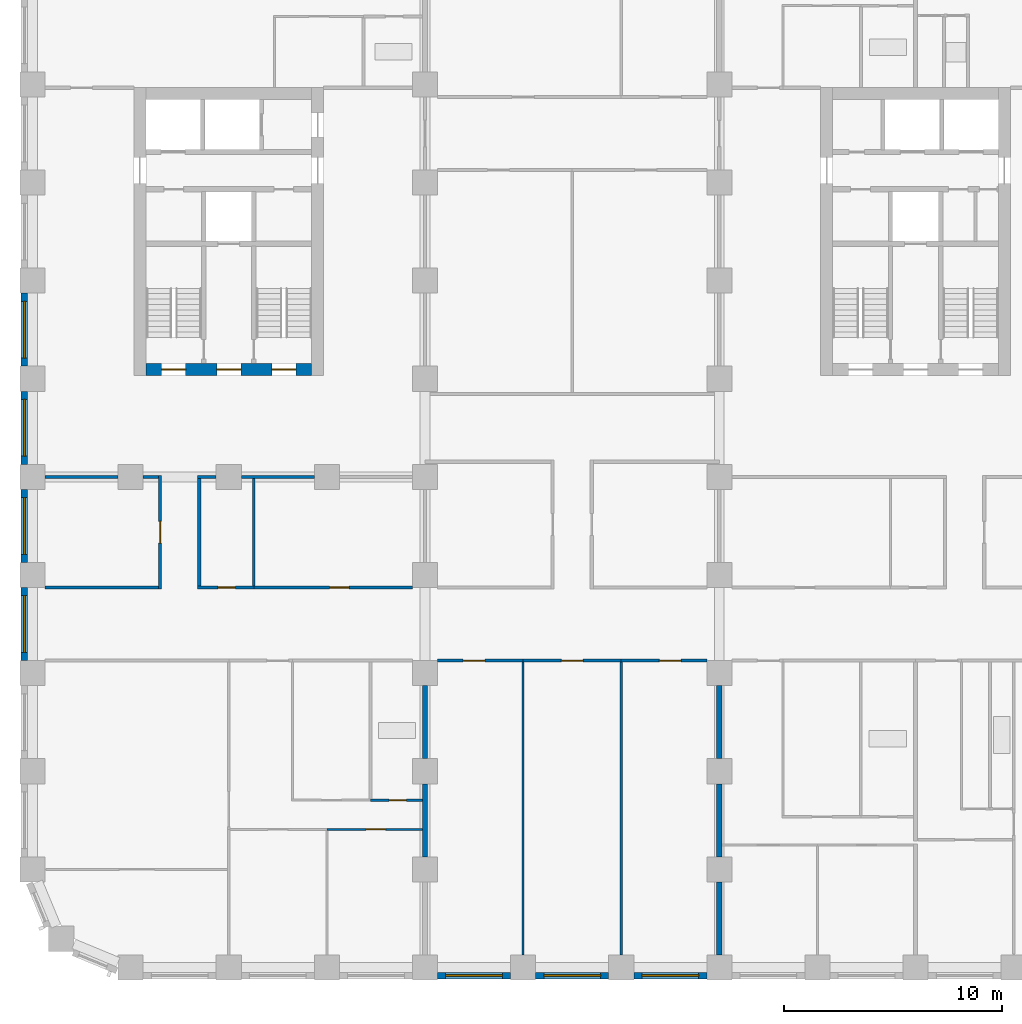
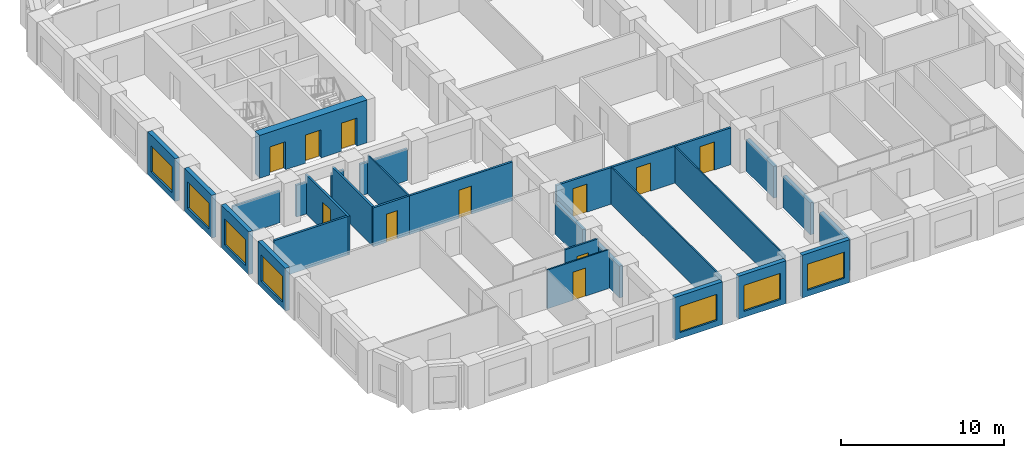
# One storey, part 3 of 12: 30 walls, 11 doors, 7 windows, 18 openings.
"""IFC4 building model written with IfcOpenShell, lengths in metres."""

from ifc_helpers import new_model, si_unit, direction, frame, frame_2d, origin, place, context, subcontext, project, spatial, rectangle, extrude, material, layer, layer_set, type_object, element, fill, save


model = new_model("IFC4")

# Units and contexts
model_context = context("Model", 3, precision=1e-05, world=origin(), true_north=direction((0.0, 1.0)))
body_context = subcontext(model_context, "Body", "Model", "MODEL_VIEW")
ifc_project = project(units=[si_unit("LENGTHUNIT", "METRE"), si_unit("AREAUNIT", "SQUARE_METRE"), si_unit("VOLUMEUNIT", "CUBIC_METRE"), si_unit("PLANEANGLEUNIT", "RADIAN"), si_unit("MASSUNIT", "GRAM", prefix="KILO")], contexts=[model_context])

# Site, building, storey
site_placement = place(None, origin())
site = spatial("IfcSite", under=ifc_project, at=site_placement, CompositionType="ELEMENT")
building_placement = place(site_placement, origin())
building = spatial("IfcBuilding", under=site, at=building_placement, Name="Girih Gate Residences", CompositionType="ELEMENT")
storey_placement = place(building_placement, frame((0.0, 0.0, 118.39990234375)))
storey = spatial("IfcBuildingStorey", under=building, at=storey_placement, Name="L33", CompositionType="ELEMENT", Elevation=118.39990234375)

# Walls
ifc_material_1 = material(Name="Gypsum board on steel studs", Category="steel")
ifc_layer_1 = layer(ifc_material_1, 0.25)
ifc_layer_set_1 = layer_set([ifc_layer_1], Name="Acoustic separating wall 250 mm")
wall_type_1 = type_object("IfcWallType", Name="Acoustic separating wall 250 mm", PredefinedType="PARTITIONING", material=ifc_layer_set_1)
for number, where, z_axis, x_axis, name in (
    (1, (18.0, 9.574951171875, 0.0), (0.0, 0.0, 1.0), (0.0, 1.0, 0.0), "L33 partition"),
    (2, (18.0, 5.074951171875, 0.0), (0.0, 0.0, 1.0), (0.0, 1.0, 0.0), "L33 partition"),
    (3, (31.5, 9.574951171875, 0.0), (0.0, 0.0, 1.0), (0.0, 1.0, 0.0), "L33 partition"),
    (4, (31.5, 0.574951171875, 0.0), (0.0, 0.0, 1.0), (0.0, 1.0, 0.0), "L33 partition"),
    (5, (31.5, 5.074951171875, 0.0), (0.0, 0.0, 1.0), (0.0, 1.0, 0.0), "L33 partition"),
):
    element("IfcWall", number, at=place(storey_placement, frame(where, z_axis=z_axis, x_axis=x_axis)), inside=storey, type_object=wall_type_1, Name=name, PredefinedType="PARTITIONING", context=body_context, shape_type="SweptSolid", body=[
        extrude(rectangle(XDim=3.35009765625, YDim=0.25, at=frame_2d((1.675048828125, 0.0))), origin(), (0.0, 0.0, 1.0), 2.380126953125),
    ])

# Wall, opening, door
ifc_layer_2 = layer(ifc_material_1, 0.14990234375)
ifc_layer_set_2 = layer_set([ifc_layer_2], Name="Compartment wall 150 mm")
wall_type_2 = type_object("IfcWallType", Name="Compartment wall 150 mm", PredefinedType="PARTITIONING", material=ifc_layer_set_2)
wall_1_placement = place(storey_placement, frame((22.5, 14.074951171875, 0.0), z_axis=(0.0, 0.0, 1.0), x_axis=(-1.0, 0.0, 0.0)))
wall_1 = element("IfcWall", 6, at=wall_1_placement, inside=storey, type_object=wall_type_2, Name="L33 partition", PredefinedType="PARTITIONING", context=body_context, shape_type="SweptSolid", body=[
    extrude(rectangle(XDim=3.925048828125, YDim=0.14990234375, at=frame_2d((1.96240234375, 0.0))), origin(), (0.0, 0.0, 1.0), 2.75),
])
opening_1_placement = place(wall_1_placement, frame((1.75, 0.0, 0.0)))
opening_1 = element("IfcOpeningElement", 7, at=opening_1_placement, cuts=wall_1, Name="Opening A33-040", PredefinedType="OPENING", context=body_context, shape_type="SweptSolid", body=[
    extrude(rectangle(XDim=1.0, YDim=2.10009765625, at=frame_2d((0.5, 1.050048828125))), frame((0.0, 0.0849609375, 0.0), z_axis=(0.0, -1.0, 0.0), x_axis=(1.0, 0.0, 0.0)), (0.0, 0.0, 1.0), 0.169921875),
])
ifc_material_2 = material(Name="Timber, fire-rated core", Category="wood")
door_type_1 = type_object("IfcDoorType", Name="Amenity room door 1000x2100 FD30S", OperationType="NOTDEFINED", PredefinedType="DOOR", material=ifc_material_2)
door_1_placement = place(opening_1_placement, origin())
door_1 = element("IfcDoor", 8, at=door_1_placement, inside=storey, type_object=door_type_1, Name="Door A33-040", OperationType="SINGLE_SWING_RIGHT", OverallHeight=2.10009765625, OverallWidth=1.0, PredefinedType="DOOR", context=body_context, shape_type="SweptSolid", body=[
    extrude(rectangle(XDim=1.0, YDim=2.10009765625, at=frame_2d((0.5, 1.050048828125))), frame((0.0, 0.02490234375, 0.0), z_axis=(0.0, -1.0, 0.0), x_axis=(1.0, 0.0, 0.0)), (0.0, 0.0, 1.0), 0.050048828125),
])
fill(opening_1, door_1)

wall_2_placement = place(storey_placement, frame((27.0, 14.074951171875, 0.0), z_axis=(0.0, 0.0, 1.0), x_axis=(-1.0, 0.0, 0.0)))
wall_2 = element("IfcWall", 9, at=wall_2_placement, inside=storey, type_object=wall_type_2, Name="L33 partition", PredefinedType="PARTITIONING", context=body_context, shape_type="SweptSolid", body=[
    extrude(rectangle(XDim=4.5, YDim=0.14990234375, at=frame_2d((2.25, 0.0))), origin(), (0.0, 0.0, 1.0), 2.75),
])
opening_2_placement = place(wall_2_placement, frame((1.75, 0.0, 0.0)))
opening_2 = element("IfcOpeningElement", 10, at=opening_2_placement, cuts=wall_2, Name="Opening A33-041", PredefinedType="OPENING", context=body_context, shape_type="SweptSolid", body=[
    extrude(rectangle(XDim=1.0, YDim=2.10009765625, at=frame_2d((0.5, 1.050048828125))), frame((0.0, 0.0849609375, 0.0), z_axis=(0.0, -1.0, 0.0), x_axis=(1.0, 0.0, 0.0)), (0.0, 0.0, 1.0), 0.169921875),
])
door_2_placement = place(opening_2_placement, origin())
door_2 = element("IfcDoor", 11, at=door_2_placement, inside=storey, type_object=door_type_1, Name="Door A33-041", OperationType="SINGLE_SWING_RIGHT", OverallHeight=2.10009765625, OverallWidth=1.0, PredefinedType="DOOR", context=body_context, shape_type="SweptSolid", body=[
    extrude(rectangle(XDim=1.0, YDim=2.10009765625, at=frame_2d((0.5, 1.050048828125))), frame((0.0, 0.02490234375, 0.0), z_axis=(0.0, -1.0, 0.0), x_axis=(1.0, 0.0, 0.0)), (0.0, 0.0, 1.0), 0.050048828125),
])
fill(opening_2, door_2)

wall_3_placement = place(storey_placement, frame((30.925048828125, 14.074951171875, 0.0), z_axis=(0.0, 0.0, 1.0), x_axis=(-1.0, 0.0, 0.0)))
wall_3 = element("IfcWall", 12, at=wall_3_placement, inside=storey, type_object=wall_type_2, Name="L33 partition", PredefinedType="PARTITIONING", context=body_context, shape_type="SweptSolid", body=[
    extrude(rectangle(XDim=3.925048828125, YDim=0.14990234375, at=frame_2d((1.96240234375, 0.0))), origin(), (0.0, 0.0, 1.0), 2.75),
])
opening_3_placement = place(wall_3_placement, frame((1.175048828125, 0.0, 0.0)))
opening_3 = element("IfcOpeningElement", 13, at=opening_3_placement, cuts=wall_3, Name="Opening A33-042", PredefinedType="OPENING", context=body_context, shape_type="SweptSolid", body=[
    extrude(rectangle(XDim=1.0, YDim=2.10009765625, at=frame_2d((0.5, 1.050048828125))), frame((0.0, 0.0849609375, 0.0), z_axis=(0.0, -1.0, 0.0), x_axis=(1.0, 0.0, 0.0)), (0.0, 0.0, 1.0), 0.169921875),
])
door_3_placement = place(opening_3_placement, origin())
door_3 = element("IfcDoor", 14, at=door_3_placement, inside=storey, type_object=door_type_1, Name="Door A33-042", OperationType="SINGLE_SWING_LEFT", OverallHeight=2.10009765625, OverallWidth=1.0, PredefinedType="DOOR", context=body_context, shape_type="SweptSolid", body=[
    extrude(rectangle(XDim=1.0, YDim=2.10009765625, at=frame_2d((0.5, 1.050048828125))), frame((0.0, 0.02490234375, 0.0), z_axis=(0.0, -1.0, 0.0), x_axis=(1.0, 0.0, 0.0)), (0.0, 0.0, 1.0), 0.050048828125),
])
fill(opening_3, door_3)

wall_4_placement = place(storey_placement, frame((10.14990234375, 17.425048828125, 0.0), z_axis=(0.0, 0.0, 1.0), x_axis=(1.0, 0.0, 0.0)))
wall_4 = element("IfcWall", 15, at=wall_4_placement, inside=storey, type_object=wall_type_2, Name="L33 partition", PredefinedType="PARTITIONING", context=body_context, shape_type="SweptSolid", body=[
    extrude(rectangle(XDim=7.275146484375, YDim=0.14990234375, at=frame_2d((3.6376953125, 0.0))), origin(), (0.0, 0.0, 1.0), 2.900146484375),
])
opening_4_placement = place(wall_4_placement, frame((3.47509765625, 0.0, 0.0)))
opening_4 = element("IfcOpeningElement", 16, at=opening_4_placement, cuts=wall_4, Name="Opening A33-046", PredefinedType="OPENING", context=body_context, shape_type="SweptSolid", body=[
    extrude(rectangle(XDim=0.89990234375, YDim=2.10009765625, at=frame_2d((0.449951171875, 1.050048828125))), frame((0.0, 0.0849609375, 0.0), z_axis=(0.0, -1.0, 0.0), x_axis=(1.0, 0.0, 0.0)), (0.0, 0.0, 1.0), 0.169921875),
])
ifc_material_3 = material(Name="Timber", Category="wood")
door_type_2 = type_object("IfcDoorType", Name="Service room door 900x2100", OperationType="NOTDEFINED", PredefinedType="DOOR", material=ifc_material_3)
door_4_placement = place(opening_4_placement, origin())
door_4 = element("IfcDoor", 17, at=door_4_placement, inside=storey, type_object=door_type_2, Name="Door A33-046", OperationType="SINGLE_SWING_RIGHT", OverallHeight=2.10009765625, OverallWidth=0.89990234375, PredefinedType="DOOR", context=body_context, shape_type="SweptSolid", body=[
    extrude(rectangle(XDim=0.89990234375, YDim=2.10009765625, at=frame_2d((0.449951171875, 1.050048828125))), frame((0.0, 0.02490234375, 0.0), z_axis=(0.0, -1.0, 0.0), x_axis=(1.0, 0.0, 0.0)), (0.0, 0.0, 1.0), 0.050048828125),
])
fill(opening_4, door_4)

wall_5_placement = place(storey_placement, frame((7.574951171875, 17.425048828125, 0.0), z_axis=(0.0, 0.0, 1.0), x_axis=(1.0, 0.0, 0.0)))
wall_5 = element("IfcWall", 18, at=wall_5_placement, inside=storey, type_object=wall_type_2, Name="L33 partition", PredefinedType="PARTITIONING", context=body_context, shape_type="SweptSolid", body=[
    extrude(rectangle(XDim=2.574951171875, YDim=0.14990234375, at=frame_2d((1.28759765625, 0.0))), origin(), (0.0, 0.0, 1.0), 2.900146484375),
])
opening_5_placement = place(wall_5_placement, frame((0.925048828125, 0.0, 0.0)))
opening_5 = element("IfcOpeningElement", 19, at=opening_5_placement, cuts=wall_5, Name="Opening A33-048", PredefinedType="OPENING", context=body_context, shape_type="SweptSolid", body=[
    extrude(rectangle(XDim=0.800048828125, YDim=2.10009765625, at=frame_2d((0.39990234375, 1.050048828125))), frame((0.0, 0.0849609375, 0.0), z_axis=(0.0, -1.0, 0.0), x_axis=(1.0, 0.0, 0.0)), (0.0, 0.0, 1.0), 0.169921875),
])
door_type_3 = type_object("IfcDoorType", Name="Bathroom door 800x2100", OperationType="NOTDEFINED", PredefinedType="DOOR", material=ifc_material_3)
door_5_placement = place(opening_5_placement, origin())
door_5 = element("IfcDoor", 20, at=door_5_placement, inside=storey, type_object=door_type_3, Name="Door A33-048", OperationType="SINGLE_SWING_RIGHT", OverallHeight=2.10009765625, OverallWidth=0.800048828125, PredefinedType="DOOR", context=body_context, shape_type="SweptSolid", body=[
    extrude(rectangle(XDim=0.800048828125, YDim=2.10009765625, at=frame_2d((0.39990234375, 1.050048828125))), frame((0.0, 0.02490234375, 0.0), z_axis=(0.0, -1.0, 0.0), x_axis=(1.0, 0.0, 0.0)), (0.0, 0.0, 1.0), 0.050048828125),
])
fill(opening_5, door_5)

# Walls
wall_6_placement = place(storey_placement, frame((0.574951171875, 17.425048828125, 0.0), z_axis=(0.0, 0.0, 1.0), x_axis=(1.0, 0.0, 0.0)))
element("IfcWall", 21, at=wall_6_placement, inside=storey, type_object=wall_type_2, Name="L33 partition", PredefinedType="PARTITIONING", context=body_context, shape_type="SweptSolid", body=[
    extrude(rectangle(XDim=5.199951171875, YDim=0.14990234375, at=frame_2d((2.60009765625, 0.0))), origin(), (0.0, 0.0, 1.0), 2.900146484375),
])
wall_7_placement = place(storey_placement, frame((9.574951171875, 22.5, 0.0), z_axis=(0.0, 0.0, 1.0), x_axis=(1.0, 0.0, 0.0)))
element("IfcWall", 22, at=wall_7_placement, inside=storey, type_object=wall_type_2, Name="L33 partition", PredefinedType="PARTITIONING", context=body_context, shape_type="SweptSolid", body=[
    extrude(rectangle(XDim=3.35009765625, YDim=0.14990234375, at=frame_2d((1.675048828125, 0.0))), origin(), (0.0, 0.0, 1.0), 2.380126953125),
])
wall_8_placement = place(storey_placement, frame((7.574951171875, 22.5, 0.0), z_axis=(0.0, 0.0, 1.0), x_axis=(1.0, 0.0, 0.0)))
element("IfcWall", 23, at=wall_8_placement, inside=storey, type_object=wall_type_2, Name="L33 partition", PredefinedType="PARTITIONING", context=body_context, shape_type="SweptSolid", body=[
    extrude(rectangle(XDim=0.85009765625, YDim=0.14990234375, at=frame_2d((0.425048828125, 0.0))), origin(), (0.0, 0.0, 1.0), 2.380126953125),
])
wall_9_placement = place(storey_placement, frame((5.074951171875, 22.5, 0.0), z_axis=(0.0, 0.0, 1.0), x_axis=(1.0, 0.0, 0.0)))
element("IfcWall", 24, at=wall_9_placement, inside=storey, type_object=wall_type_2, Name="L33 partition", PredefinedType="PARTITIONING", context=body_context, shape_type="SweptSolid", body=[
    extrude(rectangle(XDim=0.699951171875, YDim=0.14990234375, at=frame_2d((0.35009765625, 0.0))), origin(), (0.0, 0.0, 1.0), 2.380126953125),
])
wall_10_placement = place(storey_placement, frame((0.574951171875, 22.5, 0.0), z_axis=(0.0, 0.0, 1.0), x_axis=(1.0, 0.0, 0.0)))
element("IfcWall", 25, at=wall_10_placement, inside=storey, type_object=wall_type_2, Name="L33 partition", PredefinedType="PARTITIONING", context=body_context, shape_type="SweptSolid", body=[
    extrude(rectangle(XDim=3.35009765625, YDim=0.14990234375, at=frame_2d((1.675048828125, 0.0))), origin(), (0.0, 0.0, 1.0), 2.380126953125),
])
wall_11_placement = place(storey_placement, frame((7.64990234375, 17.5, 0.0), z_axis=(0.0, 0.0, 1.0), x_axis=(0.0, 1.0, 0.0)))
element("IfcWall", 26, at=wall_11_placement, inside=storey, type_object=wall_type_2, Name="L33 partition", PredefinedType="PARTITIONING", context=body_context, shape_type="SweptSolid", body=[
    extrude(rectangle(XDim=4.925048828125, YDim=0.14990234375, at=frame_2d((2.46240234375, 0.0))), origin(), (0.0, 0.0, 1.0), 2.900146484375),
])

# Wall, opening, door
wall_12_placement = place(storey_placement, frame((5.85009765625, 17.35009765625, 0.0), z_axis=(0.0, 0.0, 1.0), x_axis=(0.0, 1.0, 0.0)))
wall_12 = element("IfcWall", 27, at=wall_12_placement, inside=storey, type_object=wall_type_2, Name="L33 partition", PredefinedType="PARTITIONING", context=body_context, shape_type="SweptSolid", body=[
    extrude(rectangle(XDim=5.224853515625, YDim=0.14990234375, at=frame_2d((2.6123046875, 0.0))), origin(), (0.0, 0.0, 1.0), 2.900146484375),
])
opening_6_placement = place(wall_12_placement, frame((2.112548828125, 0.0, 0.0)))
opening_6 = element("IfcOpeningElement", 28, at=opening_6_placement, cuts=wall_12, Name="Opening A33-050", PredefinedType="OPENING", context=body_context, shape_type="SweptSolid", body=[
    extrude(rectangle(XDim=1.0, YDim=2.10009765625, at=frame_2d((0.5, 1.050048828125))), frame((0.0, 0.0849609375, 0.0), z_axis=(0.0, -1.0, 0.0), x_axis=(1.0, 0.0, 0.0)), (0.0, 0.0, 1.0), 0.169921875),
])
door_6_placement = place(opening_6_placement, origin())
door_6 = element("IfcDoor", 29, at=door_6_placement, inside=storey, type_object=door_type_1, Name="Door A33-050", OperationType="SINGLE_SWING_LEFT", OverallHeight=2.10009765625, OverallWidth=1.0, PredefinedType="DOOR", context=body_context, shape_type="SweptSolid", body=[
    extrude(rectangle(XDim=1.0, YDim=2.10009765625, at=frame_2d((0.5, 1.050048828125))), frame((0.0, 0.02490234375, 0.0), z_axis=(0.0, -1.0, 0.0), x_axis=(1.0, 0.0, 0.0)), (0.0, 0.0, 1.0), 0.050048828125),
])
fill(opening_6, door_6)

# Wall, openings, doors
ifc_material_4 = material(Name="Concrete C60/75", Category="concrete")
ifc_layer_3 = layer(ifc_material_4, 0.550048828125)
ifc_layer_set_3 = layer_set([ifc_layer_3], Name="Core wall RC 550 Concrete C60/75")
wall_type_3 = type_object("IfcWallType", Name="Core wall RC 550 Concrete C60/75", PredefinedType="SOLIDWALL", material=ifc_layer_set_3)
wall_13_placement = place(storey_placement, frame((5.199951171875, 27.425048828125, 0.0), z_axis=(0.0, 0.0, 1.0), x_axis=(1.0, 0.0, 0.0)))
wall_13 = element("IfcWall", 30, at=wall_13_placement, inside=storey, type_object=wall_type_3, Name="Core wall W-S L33", PredefinedType="SOLIDWALL", context=body_context, shape_type="SweptSolid", body=[
    extrude(rectangle(XDim=7.60009765625, YDim=0.550048828125, at=frame_2d((3.800048828125, 0.0))), origin(), (0.0, 0.0, 1.0), 3.2001953125),
])
opening_7_placement = place(wall_13_placement, frame((0.72509765625, 0.0, 0.0)))
opening_7 = element("IfcOpeningElement", 31, at=opening_7_placement, cuts=wall_13, Name="Opening D-L33-W-008", PredefinedType="OPENING", context=body_context, shape_type="SweptSolid", body=[
    extrude(rectangle(XDim=1.10009765625, YDim=2.10009765625, at=frame_2d((0.550048828125, 1.050048828125))), frame((0.0, 0.284912109375, 0.0), z_axis=(0.0, -1.0, 0.0), x_axis=(1.0, 0.0, 0.0)), (0.0, 0.0, 1.0), 0.570068359375),
])
opening_8_placement = place(wall_13_placement, frame((3.25, 0.0, 0.0)))
opening_8 = element("IfcOpeningElement", 32, at=opening_8_placement, cuts=wall_13, Name="Opening D-L33-W-009", PredefinedType="OPENING", context=body_context, shape_type="SweptSolid", body=[
    extrude(rectangle(XDim=1.10009765625, YDim=2.10009765625, at=frame_2d((0.550048828125, 1.050048828125))), frame((0.0, 0.284912109375, 0.0), z_axis=(0.0, -1.0, 0.0), x_axis=(1.0, 0.0, 0.0)), (0.0, 0.0, 1.0), 0.570068359375),
])
opening_9_placement = place(wall_13_placement, frame((5.77490234375, 0.0, 0.0)))
opening_9 = element("IfcOpeningElement", 33, at=opening_9_placement, cuts=wall_13, Name="Opening D-L33-W-010", PredefinedType="OPENING", context=body_context, shape_type="SweptSolid", body=[
    extrude(rectangle(XDim=1.10009765625, YDim=2.10009765625, at=frame_2d((0.550048828125, 1.050048828125))), frame((0.0, 0.284912109375, 0.0), z_axis=(0.0, -1.0, 0.0), x_axis=(1.0, 0.0, 0.0)), (0.0, 0.0, 1.0), 0.570068359375),
])
ifc_material_5 = material(Name="Painted steel, fire-resisting", Category="steel")
door_type_4 = type_object("IfcDoorType", Name="Fire door 1100x2100", OperationType="SINGLE_SWING_LEFT", PredefinedType="DOOR", material=ifc_material_5)
door_7_placement = place(opening_7_placement, origin())
door_7 = element("IfcDoor", 34, at=door_7_placement, inside=storey, type_object=door_type_4, Name="L33 W core door sta-out", OperationType="SINGLE_SWING_LEFT", OverallHeight=2.10009765625, OverallWidth=1.10009765625, PredefinedType="DOOR", context=body_context, shape_type="SweptSolid", body=[
    extrude(rectangle(XDim=1.10009765625, YDim=2.10009765625, at=frame_2d((0.550048828125, 1.050048828125))), frame((0.0, 0.02490234375, 0.0), z_axis=(0.0, -1.0, 0.0), x_axis=(1.0, 0.0, 0.0)), (0.0, 0.0, 1.0), 0.050048828125),
])
fill(opening_7, door_7)
door_8_placement = place(opening_8_placement, origin())
door_8 = element("IfcDoor", 35, at=door_8_placement, inside=storey, type_object=door_type_4, Name="L33 W core door ffl-out", OperationType="SINGLE_SWING_LEFT", OverallHeight=2.10009765625, OverallWidth=1.10009765625, PredefinedType="DOOR", context=body_context, shape_type="SweptSolid", body=[
    extrude(rectangle(XDim=1.10009765625, YDim=2.10009765625, at=frame_2d((0.550048828125, 1.050048828125))), frame((0.0, 0.02490234375, 0.0), z_axis=(0.0, -1.0, 0.0), x_axis=(1.0, 0.0, 0.0)), (0.0, 0.0, 1.0), 0.050048828125),
])
fill(opening_8, door_8)
door_9_placement = place(opening_9_placement, origin())
door_9 = element("IfcDoor", 36, at=door_9_placement, inside=storey, type_object=door_type_4, Name="L33 W core door stb-out", OperationType="SINGLE_SWING_LEFT", OverallHeight=2.10009765625, OverallWidth=1.10009765625, PredefinedType="DOOR", context=body_context, shape_type="SweptSolid", body=[
    extrude(rectangle(XDim=1.10009765625, YDim=2.10009765625, at=frame_2d((0.550048828125, 1.050048828125))), frame((0.0, 0.02490234375, 0.0), z_axis=(0.0, -1.0, 0.0), x_axis=(1.0, 0.0, 0.0)), (0.0, 0.0, 1.0), 0.050048828125),
])
fill(opening_9, door_9)

# Wall, opening, door
ifc_layer_4 = layer(ifc_material_1, 0.10009765625)
ifc_layer_set_4 = layer_set([ifc_layer_4], Name="Partition 100 mm")
wall_type_4 = type_object("IfcWallType", Name="Partition 100 mm", PredefinedType="PARTITIONING", material=ifc_layer_set_4)
wall_14_placement = place(storey_placement, frame((17.875, 6.3349609375, 0.0), z_axis=(0.0, 0.0, 1.0), x_axis=(-1.0, 0.0, 0.0)))
wall_14 = element("IfcWall", 37, at=wall_14_placement, inside=storey, type_object=wall_type_4, Name="L33 partition", PredefinedType="PARTITIONING", context=body_context, shape_type="SweptSolid", body=[
    extrude(rectangle(XDim=4.375, YDim=0.10009765625, at=frame_2d((2.1875, 0.0))), origin(), (0.0, 0.0, 1.0), 2.900146484375),
])
opening_10_placement = place(wall_14_placement, frame((1.675048828125, 0.0, 0.0)))
opening_10 = element("IfcOpeningElement", 38, at=opening_10_placement, cuts=wall_14, Name="Opening A33-003", PredefinedType="OPENING", context=body_context, shape_type="SweptSolid", body=[
    extrude(rectangle(XDim=0.89990234375, YDim=2.10009765625, at=frame_2d((0.449951171875, 1.050048828125))), frame((0.0, 0.06005859375, 0.0), z_axis=(0.0, -1.0, 0.0), x_axis=(1.0, 0.0, 0.0)), (0.0, 0.0, 1.0), 0.1201171875),
])
door_type_5 = type_object("IfcDoorType", Name="Bedroom door 900x2100", OperationType="NOTDEFINED", PredefinedType="DOOR", material=ifc_material_3)
door_10_placement = place(opening_10_placement, origin())
door_10 = element("IfcDoor", 39, at=door_10_placement, inside=storey, type_object=door_type_5, Name="Door A33-003", OperationType="SINGLE_SWING_LEFT", OverallHeight=2.10009765625, OverallWidth=0.89990234375, PredefinedType="DOOR", context=body_context, shape_type="SweptSolid", body=[
    extrude(rectangle(XDim=0.89990234375, YDim=2.10009765625, at=frame_2d((0.449951171875, 1.050048828125))), frame((0.0, 0.02490234375, 0.0), z_axis=(0.0, -1.0, 0.0), x_axis=(1.0, 0.0, 0.0)), (0.0, 0.0, 1.0), 0.050048828125),
])
fill(opening_10, door_10)

# Walls
for number, where, z_axis, x_axis, name in (
    (40, (22.5, 0.574951171875, 0.0), (0.0, 0.0, 1.0), (0.0, 1.0, 0.0), "L33 partition"),
    (41, (27.0, 0.574951171875, 0.0), (0.0, 0.0, 1.0), (0.0, 1.0, 0.0), "L33 partition"),
):
    element("IfcWall", number, at=place(storey_placement, frame(where, z_axis=z_axis, x_axis=x_axis)), inside=storey, type_object=wall_type_4, Name=name, PredefinedType="PARTITIONING", context=body_context, shape_type="SweptSolid", body=[
        extrude(rectangle(XDim=13.425048828125, YDim=0.10009765625, at=frame_2d((6.71240234375, 0.0))), origin(), (0.0, 0.0, 1.0), 2.75),
    ])
wall_15_placement = place(storey_placement, frame((10.14990234375, 17.5, 0.0), z_axis=(0.0, 0.0, 1.0), x_axis=(0.0, 1.0, 0.0)))
element("IfcWall", 42, at=wall_15_placement, inside=storey, type_object=wall_type_4, Name="L33 partition", PredefinedType="PARTITIONING", context=body_context, shape_type="SweptSolid", body=[
    extrude(rectangle(XDim=4.925048828125, YDim=0.10009765625, at=frame_2d((2.46240234375, 0.0))), origin(), (0.0, 0.0, 1.0), 2.900146484375),
])

# Wall, opening, window
ifc_material_6 = material(Name="Precast concrete C50/60", Category="concrete")
ifc_layer_5 = layer(ifc_material_6, 0.080078125, Name="Outer leaf")
ifc_material_7 = material(Name="Rigid PIR insulation")
ifc_layer_6 = layer(ifc_material_7, 0.14990234375, Name="Insulation")
ifc_material_8 = material(Name="Precast concrete C40/50", Category="concrete")
ifc_layer_7 = layer(ifc_material_8, 0.070068359375, Name="Inner leaf")
ifc_layer_set_5 = layer_set([ifc_layer_5, ifc_layer_6, ifc_layer_7], Name="Precast concrete C50/60 external wall 300")
wall_type_5 = type_object("IfcWallType", Name="Precast concrete C50/60 external wall 300", PredefinedType="SOLIDWALL", material=ifc_layer_set_5)
wall_16_placement = place(storey_placement, frame((21.925048828125, -0.375, 0.0), z_axis=(0.0, 0.0, 1.0), x_axis=(-1.0, 0.0, 0.0)))
wall_16 = element("IfcWall", 43, at=wall_16_placement, inside=storey, type_object=wall_type_5, Name="External wall S0045_0000.3", PredefinedType="SOLIDWALL", context=body_context, shape_type="SweptSolid", body=[
    extrude(rectangle(XDim=3.35009765625, YDim=0.300048828125, at=frame_2d((1.675048828125, 0.0))), origin(), (0.0, 0.0, 1.0), 3.2001953125),
])
opening_11_placement = place(wall_16_placement, frame((0.375, 0.0, 0.449951171875)))
opening_11 = element("IfcOpeningElement", 44, at=opening_11_placement, cuts=wall_16, Name="Opening W-1A", PredefinedType="OPENING", context=body_context, shape_type="SweptSolid", body=[
    extrude(rectangle(XDim=2.60009765625, YDim=1.949951171875, at=frame_2d((1.300048828125, 0.97509765625))), frame((0.0, 0.159912109375, 0.0), z_axis=(0.0, -1.0, 0.0), x_axis=(1.0, 0.0, 0.0)), (0.0, 0.0, 1.0), 0.320068359375),
])
ifc_material_9 = material(Name="Double glazing in aluminium frame", Category="aluminium")
window_type = type_object("IfcWindowType", Name="Window W-1A 2600x1950", PartitioningType="SINGLE_PANEL", PredefinedType="WINDOW", material=ifc_material_9)
window_1_placement = place(opening_11_placement, origin())
window_1 = element("IfcWindow", 45, at=window_1_placement, inside=storey, type_object=window_type, Name="Window W-1A S0045_0000.3", OverallHeight=1.949951171875, OverallWidth=2.60009765625, PartitioningType="SINGLE_PANEL", PredefinedType="WINDOW", context=body_context, shape_type="SweptSolid", body=[
    extrude(rectangle(XDim=2.60009765625, YDim=1.949951171875, at=frame_2d((1.300048828125, 0.97509765625))), frame((0.0, 0.030029296875, 0.0), z_axis=(0.0, -1.0, 0.0), x_axis=(1.0, 0.0, 0.0)), (0.0, 0.0, 1.0), 0.06005859375),
])
fill(opening_11, window_1)

wall_17_placement = place(storey_placement, frame((26.425048828125, -0.375, 0.0), z_axis=(0.0, 0.0, 1.0), x_axis=(-1.0, 0.0, 0.0)))
wall_17 = element("IfcWall", 46, at=wall_17_placement, inside=storey, type_object=wall_type_5, Name="External wall S0045_0000.4", PredefinedType="SOLIDWALL", context=body_context, shape_type="SweptSolid", body=[
    extrude(rectangle(XDim=3.35009765625, YDim=0.300048828125, at=frame_2d((1.675048828125, 0.0))), origin(), (0.0, 0.0, 1.0), 3.2001953125),
])
opening_12_placement = place(wall_17_placement, frame((0.375, 0.0, 0.449951171875)))
opening_12 = element("IfcOpeningElement", 47, at=opening_12_placement, cuts=wall_17, Name="Opening W-1A", PredefinedType="OPENING", context=body_context, shape_type="SweptSolid", body=[
    extrude(rectangle(XDim=2.60009765625, YDim=1.949951171875, at=frame_2d((1.300048828125, 0.97509765625))), frame((0.0, 0.159912109375, 0.0), z_axis=(0.0, -1.0, 0.0), x_axis=(1.0, 0.0, 0.0)), (0.0, 0.0, 1.0), 0.320068359375),
])
window_2_placement = place(opening_12_placement, origin())
window_2 = element("IfcWindow", 48, at=window_2_placement, inside=storey, type_object=window_type, Name="Window W-1A S0045_0000.4", OverallHeight=1.949951171875, OverallWidth=2.60009765625, PartitioningType="SINGLE_PANEL", PredefinedType="WINDOW", context=body_context, shape_type="SweptSolid", body=[
    extrude(rectangle(XDim=2.60009765625, YDim=1.949951171875, at=frame_2d((1.300048828125, 0.97509765625))), frame((0.0, 0.030029296875, 0.0), z_axis=(0.0, -1.0, 0.0), x_axis=(1.0, 0.0, 0.0)), (0.0, 0.0, 1.0), 0.06005859375),
])
fill(opening_12, window_2)

wall_18_placement = place(storey_placement, frame((30.925048828125, -0.375, 0.0), z_axis=(0.0, 0.0, 1.0), x_axis=(-1.0, 0.0, 0.0)))
wall_18 = element("IfcWall", 49, at=wall_18_placement, inside=storey, type_object=wall_type_5, Name="External wall S0045_0000.5", PredefinedType="SOLIDWALL", context=body_context, shape_type="SweptSolid", body=[
    extrude(rectangle(XDim=3.35009765625, YDim=0.300048828125, at=frame_2d((1.675048828125, 0.0))), origin(), (0.0, 0.0, 1.0), 3.2001953125),
])
opening_13_placement = place(wall_18_placement, frame((0.375, 0.0, 0.449951171875)))
opening_13 = element("IfcOpeningElement", 50, at=opening_13_placement, cuts=wall_18, Name="Opening W-1A", PredefinedType="OPENING", context=body_context, shape_type="SweptSolid", body=[
    extrude(rectangle(XDim=2.60009765625, YDim=1.949951171875, at=frame_2d((1.300048828125, 0.97509765625))), frame((0.0, 0.159912109375, 0.0), z_axis=(0.0, -1.0, 0.0), x_axis=(1.0, 0.0, 0.0)), (0.0, 0.0, 1.0), 0.320068359375),
])
window_3_placement = place(opening_13_placement, origin())
window_3 = element("IfcWindow", 51, at=window_3_placement, inside=storey, type_object=window_type, Name="Window W-1A S0045_0000.5", OverallHeight=1.949951171875, OverallWidth=2.60009765625, PartitioningType="SINGLE_PANEL", PredefinedType="WINDOW", context=body_context, shape_type="SweptSolid", body=[
    extrude(rectangle(XDim=2.60009765625, YDim=1.949951171875, at=frame_2d((1.300048828125, 0.97509765625))), frame((0.0, 0.030029296875, 0.0), z_axis=(0.0, -1.0, 0.0), x_axis=(1.0, 0.0, 0.0)), (0.0, 0.0, 1.0), 0.06005859375),
])
fill(opening_13, window_3)

wall_19_placement = place(storey_placement, frame((-0.375, 27.574951171875, 0.0), z_axis=(0.0, 0.0, 1.0), x_axis=(0.0, 1.0, 0.0)))
wall_19 = element("IfcWall", 52, at=wall_19_placement, inside=storey, type_object=wall_type_5, Name="External wall W0000_0450.3", PredefinedType="SOLIDWALL", context=body_context, shape_type="SweptSolid", body=[
    extrude(rectangle(XDim=3.35009765625, YDim=0.300048828125, at=frame_2d((1.675048828125, 0.0))), origin(), (0.0, 0.0, 1.0), 3.2001953125),
])
opening_14_placement = place(wall_19_placement, frame((0.375, 0.0, 0.449951171875)))
opening_14 = element("IfcOpeningElement", 53, at=opening_14_placement, cuts=wall_19, Name="Opening W-1A", PredefinedType="OPENING", context=body_context, shape_type="SweptSolid", body=[
    extrude(rectangle(XDim=2.60009765625, YDim=1.949951171875, at=frame_2d((1.300048828125, 0.97509765625))), frame((0.0, 0.159912109375, 0.0), z_axis=(0.0, -1.0, 0.0), x_axis=(1.0, 0.0, 0.0)), (0.0, 0.0, 1.0), 0.320068359375),
])
window_4_placement = place(opening_14_placement, origin())
window_4 = element("IfcWindow", 54, at=window_4_placement, inside=storey, type_object=window_type, Name="Window W-1A W0000_0450.3", OverallHeight=1.949951171875, OverallWidth=2.60009765625, PartitioningType="SINGLE_PANEL", PredefinedType="WINDOW", context=body_context, shape_type="SweptSolid", body=[
    extrude(rectangle(XDim=2.60009765625, YDim=1.949951171875, at=frame_2d((1.300048828125, 0.97509765625))), frame((0.0, 0.030029296875, 0.0), z_axis=(0.0, -1.0, 0.0), x_axis=(1.0, 0.0, 0.0)), (0.0, 0.0, 1.0), 0.06005859375),
])
fill(opening_14, window_4)

wall_20_placement = place(storey_placement, frame((-0.375, 23.074951171875, 0.0), z_axis=(0.0, 0.0, 1.0), x_axis=(0.0, 1.0, 0.0)))
wall_20 = element("IfcWall", 55, at=wall_20_placement, inside=storey, type_object=wall_type_5, Name="External wall W0000_0450.4", PredefinedType="SOLIDWALL", context=body_context, shape_type="SweptSolid", body=[
    extrude(rectangle(XDim=3.35009765625, YDim=0.300048828125, at=frame_2d((1.675048828125, 0.0))), origin(), (0.0, 0.0, 1.0), 3.2001953125),
])
opening_15_placement = place(wall_20_placement, frame((0.375, 0.0, 0.449951171875)))
opening_15 = element("IfcOpeningElement", 56, at=opening_15_placement, cuts=wall_20, Name="Opening W-1A", PredefinedType="OPENING", context=body_context, shape_type="SweptSolid", body=[
    extrude(rectangle(XDim=2.60009765625, YDim=1.949951171875, at=frame_2d((1.300048828125, 0.97509765625))), frame((0.0, 0.159912109375, 0.0), z_axis=(0.0, -1.0, 0.0), x_axis=(1.0, 0.0, 0.0)), (0.0, 0.0, 1.0), 0.320068359375),
])
window_5_placement = place(opening_15_placement, origin())
window_5 = element("IfcWindow", 57, at=window_5_placement, inside=storey, type_object=window_type, Name="Window W-1A W0000_0450.4", OverallHeight=1.949951171875, OverallWidth=2.60009765625, PartitioningType="SINGLE_PANEL", PredefinedType="WINDOW", context=body_context, shape_type="SweptSolid", body=[
    extrude(rectangle(XDim=2.60009765625, YDim=1.949951171875, at=frame_2d((1.300048828125, 0.97509765625))), frame((0.0, 0.030029296875, 0.0), z_axis=(0.0, -1.0, 0.0), x_axis=(1.0, 0.0, 0.0)), (0.0, 0.0, 1.0), 0.06005859375),
])
fill(opening_15, window_5)

wall_21_placement = place(storey_placement, frame((-0.375, 18.574951171875, 0.0), z_axis=(0.0, 0.0, 1.0), x_axis=(0.0, 1.0, 0.0)))
wall_21 = element("IfcWall", 58, at=wall_21_placement, inside=storey, type_object=wall_type_5, Name="External wall W0000_0450.5", PredefinedType="SOLIDWALL", context=body_context, shape_type="SweptSolid", body=[
    extrude(rectangle(XDim=3.35009765625, YDim=0.300048828125, at=frame_2d((1.675048828125, 0.0))), origin(), (0.0, 0.0, 1.0), 3.2001953125),
])
opening_16_placement = place(wall_21_placement, frame((0.375, 0.0, 0.449951171875)))
opening_16 = element("IfcOpeningElement", 59, at=opening_16_placement, cuts=wall_21, Name="Opening W-1A", PredefinedType="OPENING", context=body_context, shape_type="SweptSolid", body=[
    extrude(rectangle(XDim=2.60009765625, YDim=1.949951171875, at=frame_2d((1.300048828125, 0.97509765625))), frame((0.0, 0.159912109375, 0.0), z_axis=(0.0, -1.0, 0.0), x_axis=(1.0, 0.0, 0.0)), (0.0, 0.0, 1.0), 0.320068359375),
])
window_6_placement = place(opening_16_placement, origin())
window_6 = element("IfcWindow", 60, at=window_6_placement, inside=storey, type_object=window_type, Name="Window W-1A W0000_0450.5", OverallHeight=1.949951171875, OverallWidth=2.60009765625, PartitioningType="SINGLE_PANEL", PredefinedType="WINDOW", context=body_context, shape_type="SweptSolid", body=[
    extrude(rectangle(XDim=2.60009765625, YDim=1.949951171875, at=frame_2d((1.300048828125, 0.97509765625))), frame((0.0, 0.030029296875, 0.0), z_axis=(0.0, -1.0, 0.0), x_axis=(1.0, 0.0, 0.0)), (0.0, 0.0, 1.0), 0.06005859375),
])
fill(opening_16, window_6)

wall_22_placement = place(storey_placement, frame((-0.375, 14.074951171875, 0.0), z_axis=(0.0, 0.0, 1.0), x_axis=(0.0, 1.0, 0.0)))
wall_22 = element("IfcWall", 61, at=wall_22_placement, inside=storey, type_object=wall_type_5, Name="External wall W0000_0450.6", PredefinedType="SOLIDWALL", context=body_context, shape_type="SweptSolid", body=[
    extrude(rectangle(XDim=3.35009765625, YDim=0.300048828125, at=frame_2d((1.675048828125, 0.0))), origin(), (0.0, 0.0, 1.0), 3.2001953125),
])
opening_17_placement = place(wall_22_placement, frame((0.375, 0.0, 0.449951171875)))
opening_17 = element("IfcOpeningElement", 62, at=opening_17_placement, cuts=wall_22, Name="Opening W-1A", PredefinedType="OPENING", context=body_context, shape_type="SweptSolid", body=[
    extrude(rectangle(XDim=2.60009765625, YDim=1.949951171875, at=frame_2d((1.300048828125, 0.97509765625))), frame((0.0, 0.159912109375, 0.0), z_axis=(0.0, -1.0, 0.0), x_axis=(1.0, 0.0, 0.0)), (0.0, 0.0, 1.0), 0.320068359375),
])
window_7_placement = place(opening_17_placement, origin())
window_7 = element("IfcWindow", 63, at=window_7_placement, inside=storey, type_object=window_type, Name="Window W-1A W0000_0450.6", OverallHeight=1.949951171875, OverallWidth=2.60009765625, PartitioningType="SINGLE_PANEL", PredefinedType="WINDOW", context=body_context, shape_type="SweptSolid", body=[
    extrude(rectangle(XDim=2.60009765625, YDim=1.949951171875, at=frame_2d((1.300048828125, 0.97509765625))), frame((0.0, 0.030029296875, 0.0), z_axis=(0.0, -1.0, 0.0), x_axis=(1.0, 0.0, 0.0)), (0.0, 0.0, 1.0), 0.06005859375),
])
fill(opening_17, window_7)

# Wall, opening, door
ifc_layer_8 = layer(ifc_material_1, 0.125)
ifc_layer_set_6 = layer_set([ifc_layer_8], Name="Wet room wall 125 mm")
wall_type_6 = type_object("IfcWallType", Name="Wet room wall 125 mm", PredefinedType="PARTITIONING", material=ifc_layer_set_6)
wall_23_placement = place(storey_placement, frame((15.49951171875, 7.675048828125, 0.0), z_axis=(0.0, 0.0, 1.0), x_axis=(1.0, 0.0, 0.0)))
wall_23 = element("IfcWall", 64, at=wall_23_placement, inside=storey, type_object=wall_type_6, Name="L33 partition", PredefinedType="PARTITIONING", context=body_context, shape_type="SweptSolid", body=[
    extrude(rectangle(XDim=2.37548828125, YDim=0.125, at=frame_2d((1.187744140625, 0.0))), origin(), (0.0, 0.0, 1.0), 2.900146484375),
])
opening_18_placement = place(wall_23_placement, frame((0.85009765625, 0.0, 0.0)))
opening_18 = element("IfcOpeningElement", 65, at=opening_18_placement, cuts=wall_23, Name="Opening A33-001", PredefinedType="OPENING", context=body_context, shape_type="SweptSolid", body=[
    extrude(rectangle(XDim=0.800048828125, YDim=2.10009765625, at=frame_2d((0.39990234375, 1.050048828125))), frame((0.0, 0.072509765625, 0.0), z_axis=(0.0, -1.0, 0.0), x_axis=(1.0, 0.0, 0.0)), (0.0, 0.0, 1.0), 0.14501953125),
])
door_11_placement = place(opening_18_placement, origin())
door_11 = element("IfcDoor", 66, at=door_11_placement, inside=storey, type_object=door_type_3, Name="Door A33-001", OperationType="SINGLE_SWING_RIGHT", OverallHeight=2.10009765625, OverallWidth=0.800048828125, PredefinedType="DOOR", context=body_context, shape_type="SweptSolid", body=[
    extrude(rectangle(XDim=0.800048828125, YDim=2.10009765625, at=frame_2d((0.39990234375, 1.050048828125))), frame((0.0, 0.02490234375, 0.0), z_axis=(0.0, -1.0, 0.0), x_axis=(1.0, 0.0, 0.0)), (0.0, 0.0, 1.0), 0.050048828125),
])
fill(opening_18, door_11)

save(model, "model.ifc")
